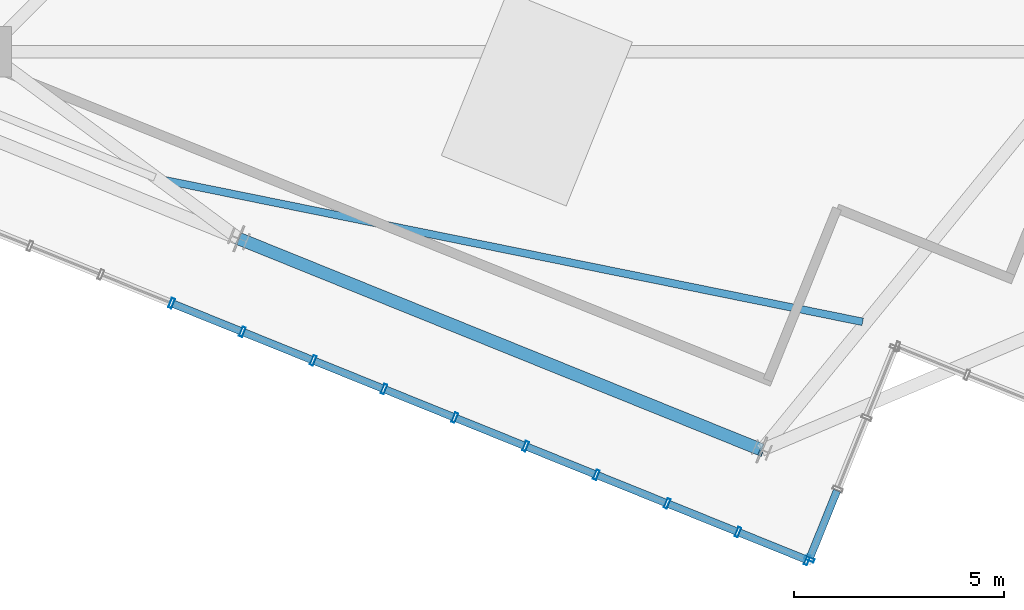
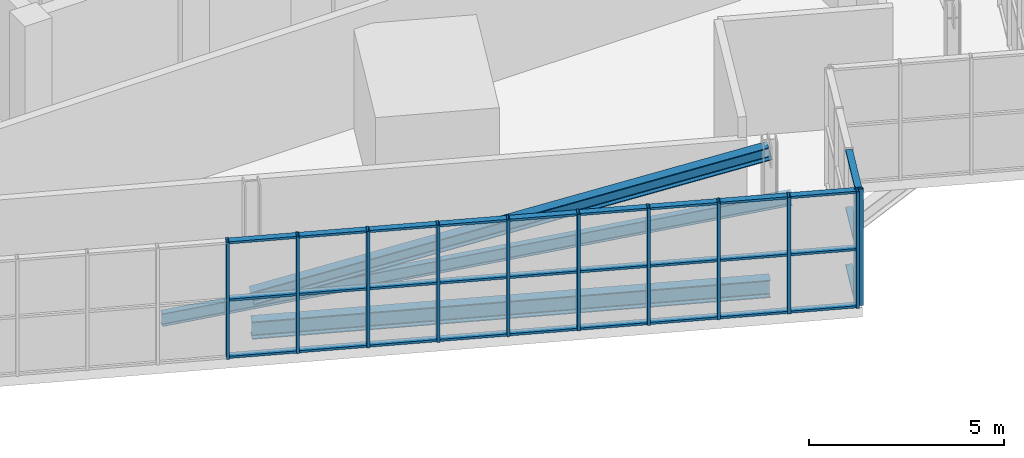
# One storey, part 4 of 26: 42 members, 2 beams, 2 elements without a shape of their own.
"""IFC4 building model written with IfcOpenShell, lengths in metres."""

from ifc_helpers import new_model, si_unit, direction, frame, origin, origin_2d, place, context, subcontext, project, spatial, hollow_rectangle, i_section, extrude, source, transform, mapped, material, layer, layer_set, material_profile, profile_set, type_object, element, aggregate, save


model = new_model("IFC4")

# Units and contexts
model_context = context("Model", 3, precision=1e-05, world=origin(), true_north=direction((0.0, 1.0)))
body_context = subcontext(model_context, "Body", "Model", "MODEL_VIEW")
ifc_project = project(units=[si_unit("LENGTHUNIT", "METRE"), si_unit("AREAUNIT", "SQUARE_METRE"), si_unit("VOLUMEUNIT", "CUBIC_METRE"), si_unit("PLANEANGLEUNIT", "RADIAN"), si_unit("MASSUNIT", "GRAM", prefix="KILO"), si_unit("THERMODYNAMICTEMPERATUREUNIT", "KELVIN")], contexts=[model_context])

# Site, building, storey
site_placement = place(None, origin())
site = spatial("IfcSite", under=ifc_project, at=site_placement, CompositionType="ELEMENT")
building_placement = place(site_placement, origin())
building = spatial("IfcBuilding", under=site, at=building_placement, Name="Kosmvard Interchange Tower", CompositionType="ELEMENT")
storey_placement = place(building_placement, frame((0.0, 0.0, 341.60009765625)))
storey = spatial("IfcBuildingStorey", under=building, at=storey_placement, Name="L84", CompositionType="ELEMENT", Elevation=341.60009765625)

# Member
ifc_material_1 = material(Name="Steel S355", Category="steel")
ifc_material_profile_1 = material_profile(ifc_material_1, i_section(OverallWidth=0.300048828125, OverallDepth=0.39990234375, WebThickness=0.013427734375, FlangeThickness=0.02392578125, FilletRadius=0.027099609375, at=origin_2d()), Name="HEB 400")
ifc_profile_set_1 = profile_set([ifc_material_profile_1], Name="Steel S355")
member_type_1 = type_object("IfcMemberType", Name="Lantern Crown Diagrid Brace HEB 400 S355", PredefinedType="BRACE", material=ifc_profile_set_1)
shared_shape_1 = source(origin(), body_context, "Body", "SweptSolid", [
    extrude(i_section(OverallWidth=0.300048828125, OverallDepth=0.39990234375, WebThickness=0.013427734375, FlangeThickness=0.02392578125, FilletRadius=0.027099609375, at=origin_2d()), origin(), (0.0, 0.0, 1.0), 13.783935546875),
])
member_1_placement = place(storey_placement, frame((-7.080078125, -17.523681640625, 0.419921875), z_axis=(0.901367558742, -0.364177999122, 0.234330768366), x_axis=(0.374608243744, 0.927183187789, 0.0)))
element("IfcMember", 1, at=member_1_placement, inside=storey, type_object=member_type_1, Name="L84 Crown Lantern Diagrid Brace W2", PredefinedType="BRACE", context=body_context, shape_type="MappedRepresentation", body=[
    mapped(shared_shape_1, transform((0.0, 0.0, 0.0), scale=1.0)),
])

# Beams
ifc_material_profile_2 = material_profile(ifc_material_1, i_section(OverallWidth=0.300048828125, OverallDepth=0.550048828125, WebThickness=0.014892578125, FlangeThickness=0.029052734375, FilletRadius=0.027099609375, at=origin_2d()), Name="HEB 550")
ifc_profile_set_2 = profile_set([ifc_material_profile_2], Name="Steel S355")
beam_type_1 = type_object("IfcBeamType", Name="Crown Ring Cap Girder HEB 550 S355", PredefinedType="BEAM", material=ifc_profile_set_2)
shared_shape_2 = source(origin(), body_context, "Body", "SweptSolid", [
    extrude(i_section(OverallWidth=0.300048828125, OverallDepth=0.550048828125, WebThickness=0.014892578125, FlangeThickness=0.029052734375, FilletRadius=0.027099609375, at=origin_2d()), origin(), (0.0, 0.0, 1.0), 13.400146484375),
])
beam_1_placement = place(storey_placement, frame((-7.080078125, -17.523681640625, -0.5751953125), z_axis=(0.927183187789, -0.374608243744, 0.0), x_axis=(0.374608243744, 0.927183187789, 0.0)))
element("IfcBeam", 2, at=beam_1_placement, inside=storey, type_object=beam_type_1, Name="BM-L84-PR11", PredefinedType="BEAM", context=body_context, shape_type="MappedRepresentation", body=[
    mapped(shared_shape_2, transform((0.0, 0.0, 0.0), scale=1.0)),
])
ifc_material_profile_3 = material_profile(ifc_material_1, i_section(OverallWidth=0.179931640625, OverallDepth=0.39990234375, WebThickness=0.008544921875, FlangeThickness=0.013427734375, FilletRadius=0.02099609375, at=origin_2d()), Name="IPE 400")
ifc_profile_set_3 = profile_set([ifc_material_profile_3], Name="Steel S355")
beam_type_2 = type_object("IfcBeamType", Name="Upper-Zone Floor Joist IPE 400 S355", PredefinedType="JOIST", material=ifc_profile_set_3)
shared_shape_3 = source(origin(), body_context, "Body", "SweptSolid", [
    extrude(i_section(OverallWidth=0.179931640625, OverallDepth=0.39990234375, WebThickness=0.008544921875, FlangeThickness=0.013427734375, FilletRadius=0.02099609375, at=origin_2d()), origin(), (0.0, 0.0, 1.0), 17.0029296875),
])
beam_2_placement = place(storey_placement, frame((-8.921875, -16.117919921875, -0.5), z_axis=(0.98002341059, -0.198882162837, 0.0), x_axis=(0.198882162837, 0.98002341059, 0.0)))
element("IfcBeam", 3, at=beam_2_placement, inside=storey, type_object=beam_type_2, Name="BM-L84-FJ08", PredefinedType="JOIST", context=body_context, shape_type="MappedRepresentation", body=[
    mapped(shared_shape_3, transform((0.0, 0.0, 0.0), scale=1.0)),
])

# Curtain wall, members
ifc_material_2 = material(Name="Architectural anodised aluminium", Category="aluminium")
ifc_layer = layer(ifc_material_2, 0.25, Name="Architectural anodised aluminium")
ifc_layer_set = layer_set([ifc_layer], Name="Architectural anodised aluminium")
curtain_wall_type = type_object("IfcCurtainWallType", Name="CW-6 Illuminated Crown Lantern Curtain Wall", PredefinedType="NOTDEFINED", material=ifc_layer_set)
curtain_wall_1_placement = place(storey_placement, origin())
curtain_wall_1 = element("IfcCurtainWall", 4, at=curtain_wall_1_placement, inside=storey, type_object=curtain_wall_type, Name="L84 Crown Lantern Glazing Face 10", PredefinedType="NOTDEFINED")
ifc_material_profile_4 = material_profile(ifc_material_2, hollow_rectangle(XDim=0.179931640625, YDim=0.070068359375, WallThickness=0.0048828125, at=origin_2d()), Name="CWT 180x70x5")
ifc_profile_set_4 = profile_set([ifc_material_profile_4], Name="Architectural anodised aluminium")
member_type_2 = type_object("IfcMemberType", Name="Heavy Lantern CW Transom 180x70 Aluminium", PredefinedType="USERDEFINED", material=ifc_profile_set_4)
shared_shape_4 = source(origin(), body_context, "Body", "SweptSolid", [
    extrude(hollow_rectangle(XDim=0.179931640625, YDim=0.070068359375, WallThickness=0.0048828125, at=origin_2d()), origin(), (0.0, 0.0, 1.0), 1.694091796875),
])
member_2_placement = place(storey_placement, frame((4.8154296875, -24.508544921875, 0.034912109375), z_axis=(0.927209116514, -0.374544061831, 0.0), x_axis=(0.374544061831, 0.927209116514, 0.0)))
member_2 = element("IfcMember", 5, at=member_2_placement, type_object=member_type_2, Name="CW-6 transom 17.1", ObjectType="TRANSOM", PredefinedType="USERDEFINED", context=body_context, shape_type="MappedRepresentation", body=[
    mapped(shared_shape_4, transform((0.0, 0.0, 0.0), scale=1.0)),
])
member_3_placement = place(storey_placement, frame((4.8154296875, -24.508544921875, 1.824951171875), z_axis=(0.927209116514, -0.374544061831, 0.0), x_axis=(0.374544061831, 0.927209116514, 0.0)))
member_3 = element("IfcMember", 6, at=member_3_placement, type_object=member_type_2, Name="CW-6 transom 17.2", ObjectType="TRANSOM", PredefinedType="USERDEFINED", context=body_context, shape_type="MappedRepresentation", body=[
    mapped(shared_shape_4, transform((0.0, 0.0, 0.0), scale=1.0)),
])
member_4_placement = place(storey_placement, frame((4.8154296875, -24.508544921875, 3.614990234375), z_axis=(0.927209116514, -0.374544061831, 0.0), x_axis=(0.374544061831, 0.927209116514, 0.0)))
member_4 = element("IfcMember", 7, at=member_4_placement, type_object=member_type_2, Name="CW-6 transom 17.3", ObjectType="TRANSOM", PredefinedType="USERDEFINED", context=body_context, shape_type="MappedRepresentation", body=[
    mapped(shared_shape_4, transform((0.0, 0.0, 0.0), scale=1.0)),
])
shared_shape_5 = source(origin(), body_context, "Body", "SweptSolid", [
    extrude(hollow_rectangle(XDim=0.179931640625, YDim=0.070068359375, WallThickness=0.0048828125, at=origin_2d()), origin(), (0.0, 0.0, 1.0), 1.734130859375),
])
member_5_placement = place(storey_placement, frame((-6.958740234375, -19.75146484375, 0.034912109375), z_axis=(0.927179782522, -0.374616671924, 0.0), x_axis=(0.374616671924, 0.927179782522, 0.0)))
member_5 = element("IfcMember", 8, at=member_5_placement, type_object=member_type_2, Name="CW-6 transom 10.1", ObjectType="TRANSOM", PredefinedType="USERDEFINED", context=body_context, shape_type="MappedRepresentation", body=[
    mapped(shared_shape_5, transform((0.0, 0.0, 0.0), scale=1.0)),
])
member_6_placement = place(storey_placement, frame((-6.958740234375, -19.75146484375, 1.824951171875), z_axis=(0.927179782522, -0.374616671924, 0.0), x_axis=(0.374616671924, 0.927179782522, 0.0)))
member_6 = element("IfcMember", 9, at=member_6_placement, type_object=member_type_2, Name="CW-6 transom 10.2", ObjectType="TRANSOM", PredefinedType="USERDEFINED", context=body_context, shape_type="MappedRepresentation", body=[
    mapped(shared_shape_5, transform((0.0, 0.0, 0.0), scale=1.0)),
])
member_7_placement = place(storey_placement, frame((-6.958740234375, -19.75146484375, 3.614990234375), z_axis=(0.927179782522, -0.374616671924, 0.0), x_axis=(0.374616671924, 0.927179782522, 0.0)))
member_7 = element("IfcMember", 10, at=member_7_placement, type_object=member_type_2, Name="CW-6 transom 10.3", ObjectType="TRANSOM", PredefinedType="USERDEFINED", context=body_context, shape_type="MappedRepresentation", body=[
    mapped(shared_shape_5, transform((0.0, 0.0, 0.0), scale=1.0)),
])
member_8_placement = place(storey_placement, frame((-5.276611328125, -20.43115234375, 0.034912109375), z_axis=(0.927228675447, -0.374495638732, 0.0), x_axis=(0.374495638732, 0.927228675447, 0.0)))
member_8 = element("IfcMember", 11, at=member_8_placement, type_object=member_type_2, Name="CW-6 transom 11.1", ObjectType="TRANSOM", PredefinedType="USERDEFINED", context=body_context, shape_type="MappedRepresentation", body=[
    mapped(shared_shape_5, transform((0.0, 0.0, 0.0), scale=1.0)),
])
member_9_placement = place(storey_placement, frame((-5.276611328125, -20.43115234375, 1.824951171875), z_axis=(0.927228675447, -0.374495638732, 0.0), x_axis=(0.374495638732, 0.927228675447, 0.0)))
member_9 = element("IfcMember", 12, at=member_9_placement, type_object=member_type_2, Name="CW-6 transom 11.2", ObjectType="TRANSOM", PredefinedType="USERDEFINED", context=body_context, shape_type="MappedRepresentation", body=[
    mapped(shared_shape_5, transform((0.0, 0.0, 0.0), scale=1.0)),
])
member_10_placement = place(storey_placement, frame((-5.276611328125, -20.43115234375, 3.614990234375), z_axis=(0.927228675447, -0.374495638732, 0.0), x_axis=(0.374495638732, 0.927228675447, 0.0)))
member_10 = element("IfcMember", 13, at=member_10_placement, type_object=member_type_2, Name="CW-6 transom 11.3", ObjectType="TRANSOM", PredefinedType="USERDEFINED", context=body_context, shape_type="MappedRepresentation", body=[
    mapped(shared_shape_5, transform((0.0, 0.0, 0.0), scale=1.0)),
])
member_11_placement = place(storey_placement, frame((-3.5947265625, -21.110595703125, 0.034912109375), z_axis=(0.927179782522, -0.374616671924, 0.0), x_axis=(0.374616671924, 0.927179782522, 0.0)))
member_11 = element("IfcMember", 14, at=member_11_placement, type_object=member_type_2, Name="CW-6 transom 12.1", ObjectType="TRANSOM", PredefinedType="USERDEFINED", context=body_context, shape_type="MappedRepresentation", body=[
    mapped(shared_shape_5, transform((0.0, 0.0, 0.0), scale=1.0)),
])
member_12_placement = place(storey_placement, frame((-3.5947265625, -21.110595703125, 1.824951171875), z_axis=(0.927179782522, -0.374616671924, 0.0), x_axis=(0.374616671924, 0.927179782522, 0.0)))
member_12 = element("IfcMember", 15, at=member_12_placement, type_object=member_type_2, Name="CW-6 transom 12.2", ObjectType="TRANSOM", PredefinedType="USERDEFINED", context=body_context, shape_type="MappedRepresentation", body=[
    mapped(shared_shape_5, transform((0.0, 0.0, 0.0), scale=1.0)),
])
member_13_placement = place(storey_placement, frame((-3.5947265625, -21.110595703125, 3.614990234375), z_axis=(0.927179782522, -0.374616671924, 0.0), x_axis=(0.374616671924, 0.927179782522, 0.0)))
member_13 = element("IfcMember", 16, at=member_13_placement, type_object=member_type_2, Name="CW-6 transom 12.3", ObjectType="TRANSOM", PredefinedType="USERDEFINED", context=body_context, shape_type="MappedRepresentation", body=[
    mapped(shared_shape_5, transform((0.0, 0.0, 0.0), scale=1.0)),
])
member_14_placement = place(storey_placement, frame((-1.91259765625, -21.790283203125, 0.034912109375), z_axis=(0.927228675447, -0.374495638732, 0.0), x_axis=(0.374495638732, 0.927228675447, 0.0)))
member_14 = element("IfcMember", 17, at=member_14_placement, type_object=member_type_2, Name="CW-6 transom 13.1", ObjectType="TRANSOM", PredefinedType="USERDEFINED", context=body_context, shape_type="MappedRepresentation", body=[
    mapped(shared_shape_5, transform((0.0, 0.0, 0.0), scale=1.0)),
])
member_15_placement = place(storey_placement, frame((-1.91259765625, -21.790283203125, 1.824951171875), z_axis=(0.927228675447, -0.374495638732, 0.0), x_axis=(0.374495638732, 0.927228675447, 0.0)))
member_15 = element("IfcMember", 18, at=member_15_placement, type_object=member_type_2, Name="CW-6 transom 13.2", ObjectType="TRANSOM", PredefinedType="USERDEFINED", context=body_context, shape_type="MappedRepresentation", body=[
    mapped(shared_shape_5, transform((0.0, 0.0, 0.0), scale=1.0)),
])
member_16_placement = place(storey_placement, frame((-1.91259765625, -21.790283203125, 3.614990234375), z_axis=(0.927228675447, -0.374495638732, 0.0), x_axis=(0.374495638732, 0.927228675447, 0.0)))
member_16 = element("IfcMember", 19, at=member_16_placement, type_object=member_type_2, Name="CW-6 transom 13.3", ObjectType="TRANSOM", PredefinedType="USERDEFINED", context=body_context, shape_type="MappedRepresentation", body=[
    mapped(shared_shape_5, transform((0.0, 0.0, 0.0), scale=1.0)),
])
member_17_placement = place(storey_placement, frame((1.451416015625, -23.1494140625, 0.034912109375), z_axis=(0.927179782522, -0.374616671924, 0.0), x_axis=(0.374616671924, 0.927179782522, 0.0)))
member_17 = element("IfcMember", 20, at=member_17_placement, type_object=member_type_2, Name="CW-6 transom 15.1", ObjectType="TRANSOM", PredefinedType="USERDEFINED", context=body_context, shape_type="MappedRepresentation", body=[
    mapped(shared_shape_5, transform((0.0, 0.0, 0.0), scale=1.0)),
])
member_18_placement = place(storey_placement, frame((1.451416015625, -23.1494140625, 1.824951171875), z_axis=(0.927179782522, -0.374616671924, 0.0), x_axis=(0.374616671924, 0.927179782522, 0.0)))
member_18 = element("IfcMember", 21, at=member_18_placement, type_object=member_type_2, Name="CW-6 transom 15.2", ObjectType="TRANSOM", PredefinedType="USERDEFINED", context=body_context, shape_type="MappedRepresentation", body=[
    mapped(shared_shape_5, transform((0.0, 0.0, 0.0), scale=1.0)),
])
member_19_placement = place(storey_placement, frame((1.451416015625, -23.1494140625, 3.614990234375), z_axis=(0.927179782522, -0.374616671924, 0.0), x_axis=(0.374616671924, 0.927179782522, 0.0)))
member_19 = element("IfcMember", 22, at=member_19_placement, type_object=member_type_2, Name="CW-6 transom 15.3", ObjectType="TRANSOM", PredefinedType="USERDEFINED", context=body_context, shape_type="MappedRepresentation", body=[
    mapped(shared_shape_5, transform((0.0, 0.0, 0.0), scale=1.0)),
])
shared_shape_6 = source(origin(), body_context, "Body", "SweptSolid", [
    extrude(hollow_rectangle(XDim=0.179931640625, YDim=0.070068359375, WallThickness=0.0048828125, at=origin_2d()), origin(), (0.0, 0.0, 1.0), 1.73388671875),
])
member_20_placement = place(storey_placement, frame((-8.640625, -19.07177734375, 0.034912109375), z_axis=(0.927160021861, -0.374665576032, 0.0), x_axis=(0.374665576032, 0.927160021861, 0.0)))
member_20 = element("IfcMember", 23, at=member_20_placement, type_object=member_type_2, Name="CW-6 transom 9.1", ObjectType="TRANSOM", PredefinedType="USERDEFINED", context=body_context, shape_type="MappedRepresentation", body=[
    mapped(shared_shape_6, transform((0.0, 0.0, 0.0), scale=1.0)),
])
member_21_placement = place(storey_placement, frame((-8.640625, -19.07177734375, 1.824951171875), z_axis=(0.927160021861, -0.374665576032, 0.0), x_axis=(0.374665576032, 0.927160021861, 0.0)))
member_21 = element("IfcMember", 24, at=member_21_placement, type_object=member_type_2, Name="CW-6 transom 9.2", ObjectType="TRANSOM", PredefinedType="USERDEFINED", context=body_context, shape_type="MappedRepresentation", body=[
    mapped(shared_shape_6, transform((0.0, 0.0, 0.0), scale=1.0)),
])
member_22_placement = place(storey_placement, frame((-8.640625, -19.07177734375, 3.614990234375), z_axis=(0.927160021861, -0.374665576032, 0.0), x_axis=(0.374665576032, 0.927160021861, 0.0)))
member_22 = element("IfcMember", 25, at=member_22_placement, type_object=member_type_2, Name="CW-6 transom 9.3", ObjectType="TRANSOM", PredefinedType="USERDEFINED", context=body_context, shape_type="MappedRepresentation", body=[
    mapped(shared_shape_6, transform((0.0, 0.0, 0.0), scale=1.0)),
])
member_23_placement = place(storey_placement, frame((-0.23046875, -22.4697265625, 0.034912109375), z_axis=(0.927160021861, -0.374665576032, 0.0), x_axis=(0.374665576032, 0.927160021861, 0.0)))
member_23 = element("IfcMember", 26, at=member_23_placement, type_object=member_type_2, Name="CW-6 transom 14.1", ObjectType="TRANSOM", PredefinedType="USERDEFINED", context=body_context, shape_type="MappedRepresentation", body=[
    mapped(shared_shape_6, transform((0.0, 0.0, 0.0), scale=1.0)),
])
member_24_placement = place(storey_placement, frame((-0.23046875, -22.4697265625, 1.824951171875), z_axis=(0.927160021861, -0.374665576032, 0.0), x_axis=(0.374665576032, 0.927160021861, 0.0)))
member_24 = element("IfcMember", 27, at=member_24_placement, type_object=member_type_2, Name="CW-6 transom 14.2", ObjectType="TRANSOM", PredefinedType="USERDEFINED", context=body_context, shape_type="MappedRepresentation", body=[
    mapped(shared_shape_6, transform((0.0, 0.0, 0.0), scale=1.0)),
])
member_25_placement = place(storey_placement, frame((-0.23046875, -22.4697265625, 3.614990234375), z_axis=(0.927160021861, -0.374665576032, 0.0), x_axis=(0.374665576032, 0.927160021861, 0.0)))
member_25 = element("IfcMember", 28, at=member_25_placement, type_object=member_type_2, Name="CW-6 transom 14.3", ObjectType="TRANSOM", PredefinedType="USERDEFINED", context=body_context, shape_type="MappedRepresentation", body=[
    mapped(shared_shape_6, transform((0.0, 0.0, 0.0), scale=1.0)),
])
member_26_placement = place(storey_placement, frame((3.133544921875, -23.828857421875, 0.034912109375), z_axis=(0.927160021861, -0.374665576032, 0.0), x_axis=(0.374665576032, 0.927160021861, 0.0)))
member_26 = element("IfcMember", 29, at=member_26_placement, type_object=member_type_2, Name="CW-6 transom 16.1", ObjectType="TRANSOM", PredefinedType="USERDEFINED", context=body_context, shape_type="MappedRepresentation", body=[
    mapped(shared_shape_6, transform((0.0, 0.0, 0.0), scale=1.0)),
])
member_27_placement = place(storey_placement, frame((3.133544921875, -23.828857421875, 1.824951171875), z_axis=(0.927160021861, -0.374665576032, 0.0), x_axis=(0.374665576032, 0.927160021861, 0.0)))
member_27 = element("IfcMember", 30, at=member_27_placement, type_object=member_type_2, Name="CW-6 transom 16.2", ObjectType="TRANSOM", PredefinedType="USERDEFINED", context=body_context, shape_type="MappedRepresentation", body=[
    mapped(shared_shape_6, transform((0.0, 0.0, 0.0), scale=1.0)),
])
member_28_placement = place(storey_placement, frame((3.133544921875, -23.828857421875, 3.614990234375), z_axis=(0.927160021861, -0.374665576032, 0.0), x_axis=(0.374665576032, 0.927160021861, 0.0)))
member_28 = element("IfcMember", 31, at=member_28_placement, type_object=member_type_2, Name="CW-6 transom 16.3", ObjectType="TRANSOM", PredefinedType="USERDEFINED", context=body_context, shape_type="MappedRepresentation", body=[
    mapped(shared_shape_6, transform((0.0, 0.0, 0.0), scale=1.0)),
])

curtain_wall_2_placement = place(storey_placement, origin())
curtain_wall_2 = element("IfcCurtainWall", 32, at=curtain_wall_2_placement, inside=storey, type_object=curtain_wall_type, Name="L84 Crown Lantern Glazing Face 11", PredefinedType="NOTDEFINED")
shared_shape_7 = source(origin(), body_context, "Body", "SweptSolid", [
    extrude(hollow_rectangle(XDim=0.179931640625, YDim=0.070068359375, WallThickness=0.0048828125, at=origin_2d()), origin(), (0.0, 0.0, 1.0), 1.71337890625),
])
member_29_placement = place(storey_placement, frame((6.490478515625, -25.098876953125, 0.034912109375), z_axis=(0.374484254265, 0.927233273404, 0.0), x_axis=(-0.927233273404, 0.374484254265, 0.0)))
member_29 = element("IfcMember", 33, at=member_29_placement, type_object=member_type_2, Name="CW-6 transom 1.1", ObjectType="TRANSOM", PredefinedType="USERDEFINED", context=body_context, shape_type="MappedRepresentation", body=[
    mapped(shared_shape_7, transform((0.0, 0.0, 0.0), scale=1.0)),
])
member_30_placement = place(storey_placement, frame((6.490478515625, -25.098876953125, 1.824951171875), z_axis=(0.374484254265, 0.927233273404, 0.0), x_axis=(-0.927233273404, 0.374484254265, 0.0)))
member_30 = element("IfcMember", 34, at=member_30_placement, type_object=member_type_2, Name="CW-6 transom 1.2", ObjectType="TRANSOM", PredefinedType="USERDEFINED", context=body_context, shape_type="MappedRepresentation", body=[
    mapped(shared_shape_7, transform((0.0, 0.0, 0.0), scale=1.0)),
])
member_31_placement = place(storey_placement, frame((6.490478515625, -25.098876953125, 3.614990234375), z_axis=(0.374484254265, 0.927233273404, 0.0), x_axis=(-0.927233273404, 0.374484254265, 0.0)))
member_31 = element("IfcMember", 35, at=member_31_placement, type_object=member_type_2, Name="CW-6 transom 1.3", ObjectType="TRANSOM", PredefinedType="USERDEFINED", context=body_context, shape_type="MappedRepresentation", body=[
    mapped(shared_shape_7, transform((0.0, 0.0, 0.0), scale=1.0)),
])

# Member
ifc_material_profile_5 = material_profile(ifc_material_2, hollow_rectangle(XDim=0.239990234375, YDim=0.080078125, WallThickness=0.006103515625, at=origin_2d()), Name="CWM 240x80x6")
ifc_profile_set_5 = profile_set([ifc_material_profile_5], Name="Architectural anodised aluminium")
member_type_3 = type_object("IfcMemberType", Name="Lantern & Observation CW Mullion 240x80 Aluminium", PredefinedType="MULLION", material=ifc_profile_set_5)
shared_shape_8 = source(origin(), body_context, "Body", "SweptSolid", [
    extrude(hollow_rectangle(XDim=0.239990234375, YDim=0.080078125, WallThickness=0.006103515625, at=origin_2d()), origin(), (0.0, 0.0, 1.0), 3.64990234375),
])
member_32_placement = place(storey_placement, frame((-8.677734375, -19.056884765625, 0.0), z_axis=(0.0, 0.0, 1.0), x_axis=(0.374606584758, 0.927183858065, 0.0)))
member_32 = element("IfcMember", 36, at=member_32_placement, type_object=member_type_3, Name="CW-6 mullion 9", PredefinedType="MULLION", context=body_context, shape_type="MappedRepresentation", body=[
    mapped(shared_shape_8, transform((0.0, 0.0, 0.0), scale=1.0)),
])

member_33_placement = place(storey_placement, frame((-6.995849609375, -19.736572265625, 0.0), z_axis=(0.0, 0.0, 1.0), x_axis=(0.374606584758, 0.927183858065, 0.0)))
member_33 = element("IfcMember", 37, at=member_33_placement, type_object=member_type_3, Name="CW-6 mullion 10", PredefinedType="MULLION", context=body_context, shape_type="MappedRepresentation", body=[
    mapped(shared_shape_8, transform((0.0, 0.0, 0.0), scale=1.0)),
])

member_34_placement = place(storey_placement, frame((-5.313720703125, -20.416015625, 0.0), z_axis=(0.0, 0.0, 1.0), x_axis=(0.374606584758, 0.927183858065, 0.0)))
member_34 = element("IfcMember", 38, at=member_34_placement, type_object=member_type_3, Name="CW-6 mullion 11", PredefinedType="MULLION", context=body_context, shape_type="MappedRepresentation", body=[
    mapped(shared_shape_8, transform((0.0, 0.0, 0.0), scale=1.0)),
])

member_35_placement = place(storey_placement, frame((-3.6318359375, -21.095703125, 0.0), z_axis=(0.0, 0.0, 1.0), x_axis=(0.374606584758, 0.927183858065, 0.0)))
member_35 = element("IfcMember", 39, at=member_35_placement, type_object=member_type_3, Name="CW-6 mullion 12", PredefinedType="MULLION", context=body_context, shape_type="MappedRepresentation", body=[
    mapped(shared_shape_8, transform((0.0, 0.0, 0.0), scale=1.0)),
])

member_36_placement = place(storey_placement, frame((-1.94970703125, -21.775146484375, 0.0), z_axis=(0.0, 0.0, 1.0), x_axis=(0.374606584758, 0.927183858065, 0.0)))
member_36 = element("IfcMember", 40, at=member_36_placement, type_object=member_type_3, Name="CW-6 mullion 13", PredefinedType="MULLION", context=body_context, shape_type="MappedRepresentation", body=[
    mapped(shared_shape_8, transform((0.0, 0.0, 0.0), scale=1.0)),
])

member_37_placement = place(storey_placement, frame((-0.267578125, -22.454833984375, 0.0), z_axis=(0.0, 0.0, 1.0), x_axis=(0.374606584758, 0.927183858065, 0.0)))
member_37 = element("IfcMember", 41, at=member_37_placement, type_object=member_type_3, Name="CW-6 mullion 14", PredefinedType="MULLION", context=body_context, shape_type="MappedRepresentation", body=[
    mapped(shared_shape_8, transform((0.0, 0.0, 0.0), scale=1.0)),
])

member_38_placement = place(storey_placement, frame((1.414306640625, -23.13427734375, 0.0), z_axis=(0.0, 0.0, 1.0), x_axis=(0.374606584758, 0.927183858065, 0.0)))
member_38 = element("IfcMember", 42, at=member_38_placement, type_object=member_type_3, Name="CW-6 mullion 15", PredefinedType="MULLION", context=body_context, shape_type="MappedRepresentation", body=[
    mapped(shared_shape_8, transform((0.0, 0.0, 0.0), scale=1.0)),
])

member_39_placement = place(storey_placement, frame((3.096435546875, -23.81396484375, 0.0), z_axis=(0.0, 0.0, 1.0), x_axis=(0.374606584758, 0.927183858065, 0.0)))
member_39 = element("IfcMember", 43, at=member_39_placement, type_object=member_type_3, Name="CW-6 mullion 16", PredefinedType="MULLION", context=body_context, shape_type="MappedRepresentation", body=[
    mapped(shared_shape_8, transform((0.0, 0.0, 0.0), scale=1.0)),
])

member_40_placement = place(storey_placement, frame((4.7783203125, -24.49365234375, 0.0), z_axis=(0.0, 0.0, 1.0), x_axis=(0.374606584758, 0.927183858065, 0.0)))
member_40 = element("IfcMember", 44, at=member_40_placement, type_object=member_type_3, Name="CW-6 mullion 17", PredefinedType="MULLION", context=body_context, shape_type="MappedRepresentation", body=[
    mapped(shared_shape_8, transform((0.0, 0.0, 0.0), scale=1.0)),
])

member_41_placement = place(storey_placement, frame((6.42333984375, -25.158203125, 0.0), z_axis=(0.0, 0.0, 1.0), x_axis=(0.374606584758, 0.927183858065, 0.0)))
member_41 = element("IfcMember", 45, at=member_41_placement, type_object=member_type_3, Name="CW-6 mullion 18", PredefinedType="MULLION", context=body_context, shape_type="MappedRepresentation", body=[
    mapped(shared_shape_8, transform((0.0, 0.0, 0.0), scale=1.0)),
])

aggregate(curtain_wall_1, [member_32, member_33, member_34, member_35, member_36, member_37, member_38, member_39, member_40, member_41, member_20, member_21, member_22, member_5, member_6, member_7, member_8, member_9, member_10, member_11, member_12, member_13, member_14, member_15, member_16, member_23, member_24, member_25, member_17, member_18, member_19, member_26, member_27, member_28, member_2, member_3, member_4])

member_42_placement = place(storey_placement, frame((6.475341796875, -25.135986328125, 0.0), z_axis=(0.0, 0.0, 1.0), x_axis=(-0.92718386612, 0.374606564822, 0.0)))
member_42 = element("IfcMember", 46, at=member_42_placement, type_object=member_type_3, Name="CW-6 mullion 1", PredefinedType="MULLION", context=body_context, shape_type="MappedRepresentation", body=[
    mapped(shared_shape_8, transform((0.0, 0.0, 0.0), scale=1.0)),
])

aggregate(curtain_wall_2, [member_42, member_29, member_30, member_31])

save(model, "model.ifc")
